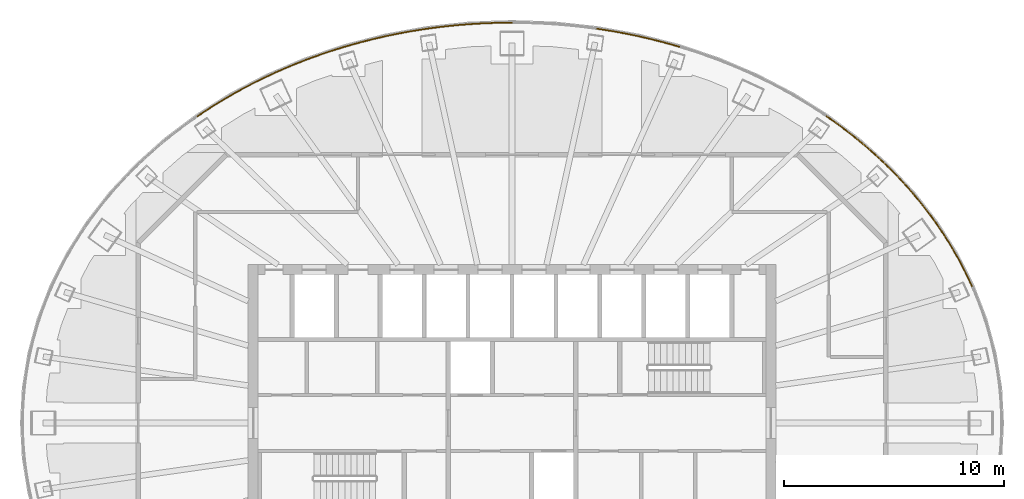
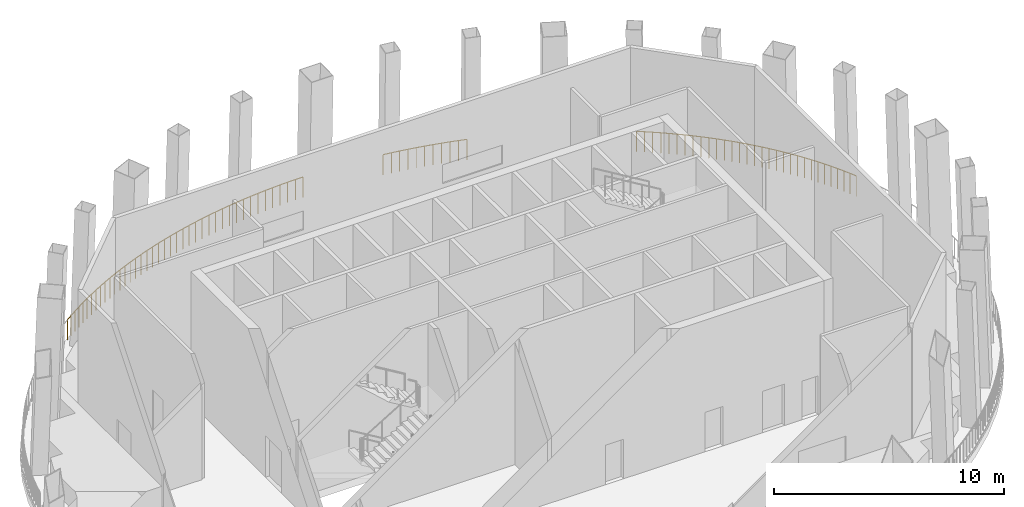
# One storey, part 11 of 12: 8 railings.
"""IFC4 building model written with IfcOpenShell, lengths in metres."""

from ifc_helpers import new_model, si_unit, direction, frame, origin, origin_2d, place, context, subcontext, project, spatial, circle, extrude, material, type_object, element, save


model = new_model("IFC4")

# Units and contexts
model_context = context("Model", 3, precision=1e-05, world=origin(), true_north=direction((0.0, 1.0)))
body_context = subcontext(model_context, "Body", "Model", "MODEL_VIEW")
ifc_project = project(units=[si_unit("LENGTHUNIT", "METRE"), si_unit("AREAUNIT", "SQUARE_METRE"), si_unit("VOLUMEUNIT", "CUBIC_METRE"), si_unit("PLANEANGLEUNIT", "RADIAN"), si_unit("MASSUNIT", "GRAM", prefix="KILO")], contexts=[model_context])

# Site, building, storey
site_placement = place(None, origin())
site = spatial("IfcSite", under=ifc_project, at=site_placement, CompositionType="ELEMENT")
building_placement = place(site_placement, origin())
building = spatial("IfcBuilding", under=site, at=building_placement, Name="Siaravel Broadcast Tower", CompositionType="ELEMENT")
storey_placement = place(building_placement, frame((0.0, 0.0, 205.199951171875)))
storey = spatial("IfcBuildingStorey", under=building, at=storey_placement, Name="L50", CompositionType="ELEMENT", Elevation=205.199951171875)

# Railings
ifc_material = material(Name="Steel S355", Category="steel")
railing_type = type_object("IfcRailingType", Name="Guard 1100", PredefinedType="GUARDRAIL", material=ifc_material)
railing_1_placement = place(storey_placement, frame((20.913818359375, 6.227783203125, 0.080078125)))
element("IfcRailing", 1, at=railing_1_placement, inside=storey, type_object=railing_type, Name="L50 sky garden guard 03", PredefinedType="GUARDRAIL", context=body_context, shape_type="SweptSolid", body=[
    extrude(circle(Radius=0.02392578125, at=origin_2d()), frame((0.0, 0.0, 1.076171875), z_axis=(-0.415601054, 0.90954701, 0.0), x_axis=(-0.90954701, -0.415601054, 0.0)), (0.0, 0.0, 1.0), 0.3271484375),
    extrude(circle(Radius=0.02392578125, at=origin_2d()), frame((-0.135986328125, 0.297607421875, 1.076171875), z_axis=(-0.433770877, 0.901023211, 0.0), x_axis=(-0.901023211, -0.433770877, 0.0)), (0.0, 0.0, 1.0), 0.328125),
    extrude(circle(Radius=0.02392578125, at=origin_2d()), frame((-0.2783203125, 0.59326171875, 1.076171875), z_axis=(-0.451657892, 0.892191206, 0.0), x_axis=(-0.892191206, -0.451657892, 0.0)), (0.0, 0.0, 1.0), 0.3291015625),
    extrude(circle(Radius=0.02392578125, at=origin_2d()), frame((-0.427001953125, 0.886962890625, 1.076171875), z_axis=(-0.469281499, 0.883048625, 0.0), x_axis=(-0.883048625, -0.469281499, 0.0)), (0.0, 0.0, 1.0), 0.329833984375),
    extrude(circle(Radius=0.02392578125, at=origin_2d()), frame((-0.581787109375, 1.17822265625, 1.076171875), z_axis=(-0.486581595, 0.873635136, 0.0), x_axis=(-0.873635136, -0.486581595, 0.0)), (0.0, 0.0, 1.0), 0.3310546875),
    extrude(circle(Radius=0.02392578125, at=origin_2d()), frame((-0.742919921875, 1.467529296875, 1.076171875), z_axis=(-0.503642434, 0.863912205, 0.0), x_axis=(-0.863912205, -0.503642434, 0.0)), (0.0, 0.0, 1.0), 0.33203125),
    extrude(circle(Radius=0.02392578125, at=origin_2d()), frame((-0.91015625, 1.75439453125, 1.076171875), z_axis=(-0.52041193, 0.853915349, 0.0), x_axis=(-0.853915349, -0.52041193, 0.0)), (0.0, 0.0, 1.0), 0.3330078125),
    extrude(circle(Radius=0.02392578125, at=origin_2d()), frame((-1.08349609375, 2.038818359375, 1.076171875), z_axis=(-0.537206502, 0.843450754, 0.0), x_axis=(-0.843450754, -0.537206502, 0.0)), (0.0, 0.0, 1.0), 0.333984375),
    extrude(circle(Radius=0.02392578125, at=origin_2d()), frame((-1.262939453125, 2.320556640625, 1.076171875), z_axis=(-0.552849831, 0.833280904, 0.0), x_axis=(-0.833280904, -0.552849831, 0.0)), (0.0, 0.0, 1.0), 0.335205078125),
    extrude(circle(Radius=0.02392578125, at=origin_2d()), frame((-1.4482421875, 2.599853515625, 1.076171875), z_axis=(-0.568530162, 0.822662418, 0.0), x_axis=(-0.822662418, -0.568530162, 0.0)), (0.0, 0.0, 1.0), 0.336181640625),
    extrude(circle(Radius=0.02099609375, at=origin_2d()), origin(), (0.0, 0.0, 1.0), 1.052001953125),
    extrude(circle(Radius=0.02099609375, at=origin_2d()), frame((-0.135986328125, 0.297607421875, 0.0)), (0.0, 0.0, 1.0), 1.052001953125),
    extrude(circle(Radius=0.02099609375, at=origin_2d()), frame((-0.2783203125, 0.59326171875, 0.0)), (0.0, 0.0, 1.0), 1.052001953125),
    extrude(circle(Radius=0.02099609375, at=origin_2d()), frame((-0.427001953125, 0.886962890625, 0.0)), (0.0, 0.0, 1.0), 1.052001953125),
    extrude(circle(Radius=0.02099609375, at=origin_2d()), frame((-0.581787109375, 1.17822265625, 0.0)), (0.0, 0.0, 1.0), 1.052001953125),
    extrude(circle(Radius=0.02099609375, at=origin_2d()), frame((-0.742919921875, 1.467529296875, 0.0)), (0.0, 0.0, 1.0), 1.052001953125),
    extrude(circle(Radius=0.02099609375, at=origin_2d()), frame((-0.91015625, 1.75439453125, 0.0)), (0.0, 0.0, 1.0), 1.052001953125),
    extrude(circle(Radius=0.02099609375, at=origin_2d()), frame((-1.08349609375, 2.038818359375, 0.0)), (0.0, 0.0, 1.0), 1.052001953125),
    extrude(circle(Radius=0.02099609375, at=origin_2d()), frame((-1.262939453125, 2.320556640625, 0.0)), (0.0, 0.0, 1.0), 1.052001953125),
    extrude(circle(Radius=0.02099609375, at=origin_2d()), frame((-1.4482421875, 2.599853515625, 0.0)), (0.0, 0.0, 1.0), 1.052001953125),
    extrude(circle(Radius=0.02099609375, at=origin_2d()), frame((-1.639404296875, 2.87646484375, 0.0)), (0.0, 0.0, 1.0), 1.052001953125),
])
railing_2_placement = place(storey_placement, frame((19.2744140625, 9.104248046875, 0.080078125)))
element("IfcRailing", 2, at=railing_2_placement, inside=storey, type_object=railing_type, Name="L50 sky garden guard 04", PredefinedType="GUARDRAIL", context=body_context, shape_type="SweptSolid", body=[
    extrude(circle(Radius=0.02392578125, at=origin_2d()), frame((0.0, 0.0, 1.076171875), z_axis=(-0.584380934, 0.811479466, 0.0), x_axis=(-0.811479466, -0.584380934, 0.0)), (0.0, 0.0, 1.0), 0.337646484375),
    extrude(circle(Radius=0.02392578125, at=origin_2d()), frame((-0.197265625, 0.27392578125, 1.076171875), z_axis=(-0.599307435, 0.800518956, 0.0), x_axis=(-0.800518956, -0.599307435, 0.0)), (0.0, 0.0, 1.0), 0.338623046875),
    extrude(circle(Radius=0.02392578125, at=origin_2d()), frame((-0.400146484375, 0.544921875, 1.076171875), z_axis=(-0.614736721, 0.788732378, 0.0), x_axis=(-0.788732378, -0.614736721, 0.0)), (0.0, 0.0, 1.0), 0.339599609375),
    extrude(circle(Radius=0.02392578125, at=origin_2d()), frame((-0.60888671875, 0.812744140625, 1.076171875), z_axis=(-0.628703723, 0.777644924, 0.0), x_axis=(-0.777644924, -0.628703723, 0.0)), (0.0, 0.0, 1.0), 0.341064453125),
    extrude(circle(Radius=0.02392578125, at=origin_2d()), frame((-0.8232421875, 1.077880859375, 1.076171875), z_axis=(-0.643058171, 0.765817334, 0.0), x_axis=(-0.765817334, -0.643058171, 0.0)), (0.0, 0.0, 1.0), 0.342041015625),
    extrude(circle(Radius=0.02392578125, at=origin_2d()), frame((-1.043212890625, 1.33984375, 1.076171875), z_axis=(-0.65744612, 0.753501559, 0.0), x_axis=(-0.753501559, -0.65744612, 0.0)), (0.0, 0.0, 1.0), 0.343017578125),
    extrude(circle(Radius=0.02392578125, at=origin_2d()), frame((-1.268798828125, 1.598388671875, 1.076171875), z_axis=(-0.67080203, 0.741636458, 0.0), x_axis=(-0.741636458, -0.67080203, 0.0)), (0.0, 0.0, 1.0), 0.3447265625),
    extrude(circle(Radius=0.02392578125, at=origin_2d()), frame((-1.5, 1.85400390625, 1.076171875), z_axis=(-0.68412918, 0.729360861, 0.0), x_axis=(-0.729360861, -0.68412918, 0.0)), (0.0, 0.0, 1.0), 0.345458984375),
    extrude(circle(Radius=0.02392578125, at=origin_2d()), frame((-1.736328125, 2.10595703125, 1.076171875), z_axis=(-0.697188894, 0.716887471, 0.0), x_axis=(-0.716887471, -0.697188894, 0.0)), (0.0, 0.0, 1.0), 0.346923828125),
    extrude(circle(Radius=0.02392578125, at=origin_2d()), frame((-1.978271484375, 2.354736328125, 1.076171875), z_axis=(-0.709208125, 0.704999174, 0.0), x_axis=(-0.704999174, -0.709208125, 0.0)), (0.0, 0.0, 1.0), 0.34814453125),
    extrude(circle(Radius=0.02099609375, at=origin_2d()), origin(), (0.0, 0.0, 1.0), 1.052001953125),
    extrude(circle(Radius=0.02099609375, at=origin_2d()), frame((-0.197265625, 0.27392578125, 0.0)), (0.0, 0.0, 1.0), 1.052001953125),
    extrude(circle(Radius=0.02099609375, at=origin_2d()), frame((-0.400146484375, 0.544921875, 0.0)), (0.0, 0.0, 1.0), 1.052001953125),
    extrude(circle(Radius=0.02099609375, at=origin_2d()), frame((-0.60888671875, 0.812744140625, 0.0)), (0.0, 0.0, 1.0), 1.052001953125),
    extrude(circle(Radius=0.02099609375, at=origin_2d()), frame((-0.8232421875, 1.077880859375, 0.0)), (0.0, 0.0, 1.0), 1.052001953125),
    extrude(circle(Radius=0.02099609375, at=origin_2d()), frame((-1.043212890625, 1.33984375, 0.0)), (0.0, 0.0, 1.0), 1.052001953125),
    extrude(circle(Radius=0.02099609375, at=origin_2d()), frame((-1.268798828125, 1.598388671875, 0.0)), (0.0, 0.0, 1.0), 1.052001953125),
    extrude(circle(Radius=0.02099609375, at=origin_2d()), frame((-1.5, 1.85400390625, 0.0)), (0.0, 0.0, 1.0), 1.052001953125),
    extrude(circle(Radius=0.02099609375, at=origin_2d()), frame((-1.736328125, 2.10595703125, 0.0)), (0.0, 0.0, 1.0), 1.052001953125),
    extrude(circle(Radius=0.02099609375, at=origin_2d()), frame((-1.978271484375, 2.354736328125, 0.0)), (0.0, 0.0, 1.0), 1.052001953125),
    extrude(circle(Radius=0.02099609375, at=origin_2d()), frame((-2.22509765625, 2.60009765625, 0.0)), (0.0, 0.0, 1.0), 1.052001953125),
])
railing_3_placement = place(storey_placement, frame((17.04931640625, 11.704345703125, 0.080078125)))
element("IfcRailing", 3, at=railing_3_placement, inside=storey, type_object=railing_type, Name="L50 sky garden guard 05", PredefinedType="GUARDRAIL", context=body_context, shape_type="SweptSolid", body=[
    extrude(circle(Radius=0.02392578125, at=origin_2d()), frame((0.0, 0.0, 1.076171875), z_axis=(-0.722657035, 0.691206778, 0.0), x_axis=(-0.691206778, -0.722657035, 0.0)), (0.0, 0.0, 1.0), 0.349365234375),
    extrude(circle(Radius=0.02392578125, at=origin_2d()), frame((-0.25244140625, 0.241455078125, 1.076171875), z_axis=(-0.73408208, 0.679060748, 0.0), x_axis=(-0.679060748, -0.73408208, 0.0)), (0.0, 0.0, 1.0), 0.3505859375),
    extrude(circle(Radius=0.02392578125, at=origin_2d()), frame((-0.509765625, 0.4794921875, 1.076171875), z_axis=(-0.745876104, 0.666084707, 0.0), x_axis=(-0.666084707, -0.745876104, 0.0)), (0.0, 0.0, 1.0), 0.351806640625),
    extrude(circle(Radius=0.02392578125, at=origin_2d()), frame((-0.772216796875, 0.7138671875, 1.076171875), z_axis=(-0.757398166, 0.652953305, 0.0), x_axis=(-0.652953305, -0.757398166, 0.0)), (0.0, 0.0, 1.0), 0.35302734375),
    extrude(circle(Radius=0.02392578125, at=origin_2d()), frame((-1.03955078125, 0.9443359375, 1.076171875), z_axis=(-0.768559864, 0.63977788, 0.0), x_axis=(-0.63977788, -0.768559864, 0.0)), (0.0, 0.0, 1.0), 0.3544921875),
    extrude(circle(Radius=0.02392578125, at=origin_2d()), frame((-1.31201171875, 1.171142578125, 1.076171875), z_axis=(-0.779257223, 0.626704221, 0.0), x_axis=(-0.626704221, -0.779257223, 0.0)), (0.0, 0.0, 1.0), 0.355224609375),
    extrude(circle(Radius=0.02392578125, at=origin_2d()), frame((-1.5888671875, 1.393798828125, 1.076171875), z_axis=(-0.789867917, 0.613276996, 0.0), x_axis=(-0.613276996, -0.789867917, 0.0)), (0.0, 0.0, 1.0), 0.356689453125),
    extrude(circle(Radius=0.02392578125, at=origin_2d()), frame((-1.87060546875, 1.612548828125, 1.076171875), z_axis=(-0.800490663, 0.599345224, 0.0), x_axis=(-0.599345224, -0.800490663, 0.0)), (0.0, 0.0, 1.0), 0.358154296875),
    extrude(circle(Radius=0.02392578125, at=origin_2d()), frame((-2.1572265625, 1.8271484375, 1.076171875), z_axis=(-0.809763888, 0.586755865, 0.0), x_axis=(-0.586755865, -0.809763888, 0.0)), (0.0, 0.0, 1.0), 0.359130859375),
    extrude(circle(Radius=0.02392578125, at=origin_2d()), frame((-2.447998046875, 2.037841796875, 1.076171875), z_axis=(-0.819868065, 0.572552492, 0.0), x_axis=(-0.572552492, -0.819868065, 0.0)), (0.0, 0.0, 1.0), 0.3603515625),
    extrude(circle(Radius=0.02099609375, at=origin_2d()), origin(), (0.0, 0.0, 1.0), 1.052001953125),
    extrude(circle(Radius=0.02099609375, at=origin_2d()), frame((-0.25244140625, 0.241455078125, 0.0)), (0.0, 0.0, 1.0), 1.052001953125),
    extrude(circle(Radius=0.02099609375, at=origin_2d()), frame((-0.509765625, 0.4794921875, 0.0)), (0.0, 0.0, 1.0), 1.052001953125),
    extrude(circle(Radius=0.02099609375, at=origin_2d()), frame((-0.772216796875, 0.7138671875, 0.0)), (0.0, 0.0, 1.0), 1.052001953125),
    extrude(circle(Radius=0.02099609375, at=origin_2d()), frame((-1.03955078125, 0.9443359375, 0.0)), (0.0, 0.0, 1.0), 1.052001953125),
    extrude(circle(Radius=0.02099609375, at=origin_2d()), frame((-1.31201171875, 1.171142578125, 0.0)), (0.0, 0.0, 1.0), 1.052001953125),
    extrude(circle(Radius=0.02099609375, at=origin_2d()), frame((-1.5888671875, 1.393798828125, 0.0)), (0.0, 0.0, 1.0), 1.052001953125),
    extrude(circle(Radius=0.02099609375, at=origin_2d()), frame((-1.87060546875, 1.612548828125, 0.0)), (0.0, 0.0, 1.0), 1.052001953125),
    extrude(circle(Radius=0.02099609375, at=origin_2d()), frame((-2.1572265625, 1.8271484375, 0.0)), (0.0, 0.0, 1.0), 1.052001953125),
    extrude(circle(Radius=0.02099609375, at=origin_2d()), frame((-2.447998046875, 2.037841796875, 0.0)), (0.0, 0.0, 1.0), 1.052001953125),
    extrude(circle(Radius=0.02099609375, at=origin_2d()), frame((-2.743408203125, 2.244140625, 0.0)), (0.0, 0.0, 1.0), 1.052001953125),
])
railing_4_placement = place(storey_placement, frame((7.612060546875, 17.110595703125, 0.080078125)))
element("IfcRailing", 4, at=railing_4_placement, inside=storey, type_object=railing_type, Name="L50 sky garden guard 08", PredefinedType="GUARDRAIL", context=body_context, shape_type="SweptSolid", body=[
    extrude(circle(Radius=0.02392578125, at=origin_2d()), frame((0.0, 0.0, 1.076171875), z_axis=(-0.960600266, 0.277933677, 0.0), x_axis=(-0.277933677, -0.960600266, 0.0)), (0.0, 0.0, 1.0), 0.38134765625),
    extrude(circle(Radius=0.02392578125, at=origin_2d()), frame((-0.3662109375, 0.10595703125, 1.076171875), z_axis=(-0.964527427, 0.263982656, 0.0), x_axis=(-0.263982656, -0.964527427, 0.0)), (0.0, 0.0, 1.0), 0.3818359375),
    extrude(circle(Radius=0.02392578125, at=origin_2d()), frame((-0.734619140625, 0.206787109375, 1.076171875), z_axis=(-0.968197573, 0.250186848, 0.0), x_axis=(-0.250186848, -0.968197573, 0.0)), (0.0, 0.0, 1.0), 0.382568359375),
    extrude(circle(Radius=0.02392578125, at=origin_2d()), frame((-1.10498046875, 0.302490234375, 1.076171875), z_axis=(-0.971986944, 0.235034851, 0.0), x_axis=(-0.235034851, -0.971986944, 0.0)), (0.0, 0.0, 1.0), 0.38330078125),
    extrude(circle(Radius=0.02392578125, at=origin_2d()), frame((-1.4775390625, 0.392578125, 1.076171875), z_axis=(-0.975189064, 0.221373643, 0.0), x_axis=(-0.221373643, -0.975189064, 0.0)), (0.0, 0.0, 1.0), 0.3837890625),
    extrude(circle(Radius=0.02392578125, at=origin_2d()), frame((-1.851806640625, 0.4775390625, 1.076171875), z_axis=(-0.97832001, 0.207098911, 0.0), x_axis=(-0.207098911, -0.97832001, 0.0)), (0.0, 0.0, 1.0), 0.38427734375),
    extrude(circle(Radius=0.02392578125, at=origin_2d()), frame((-2.227783203125, 0.55712890625, 1.076171875), z_axis=(-0.981233822, 0.192821643, 0.0), x_axis=(-0.192821643, -0.981233822, 0.0)), (0.0, 0.0, 1.0), 0.385009765625),
    extrude(circle(Radius=0.02392578125, at=origin_2d()), frame((-2.60546875, 0.63134765625, 1.076171875), z_axis=(-0.983930637, 0.178551119, 0.0), x_axis=(-0.178551119, -0.983930637, 0.0)), (0.0, 0.0, 1.0), 0.385498046875),
    extrude(circle(Radius=0.02392578125, at=origin_2d()), frame((-2.98486328125, 0.7001953125, 1.076171875), z_axis=(-0.986479299, 0.163885913, 0.0), x_axis=(-0.163885913, -0.986479299, 0.0)), (0.0, 0.0, 1.0), 0.3857421875),
    extrude(circle(Radius=0.02392578125, at=origin_2d()), frame((-3.365478515625, 0.763427734375, 1.076171875), z_axis=(-0.988712667, 0.149824106, 0.0), x_axis=(-0.149824106, -0.988712667, 0.0)), (0.0, 0.0, 1.0), 0.38623046875),
    extrude(circle(Radius=0.02099609375, at=origin_2d()), origin(), (0.0, 0.0, 1.0), 1.052001953125),
    extrude(circle(Radius=0.02099609375, at=origin_2d()), frame((-0.3662109375, 0.10595703125, 0.0)), (0.0, 0.0, 1.0), 1.052001953125),
    extrude(circle(Radius=0.02099609375, at=origin_2d()), frame((-0.734619140625, 0.206787109375, 0.0)), (0.0, 0.0, 1.0), 1.052001953125),
    extrude(circle(Radius=0.02099609375, at=origin_2d()), frame((-1.10498046875, 0.302490234375, 0.0)), (0.0, 0.0, 1.0), 1.052001953125),
    extrude(circle(Radius=0.02099609375, at=origin_2d()), frame((-1.4775390625, 0.392578125, 0.0)), (0.0, 0.0, 1.0), 1.052001953125),
    extrude(circle(Radius=0.02099609375, at=origin_2d()), frame((-1.851806640625, 0.4775390625, 0.0)), (0.0, 0.0, 1.0), 1.052001953125),
    extrude(circle(Radius=0.02099609375, at=origin_2d()), frame((-2.227783203125, 0.55712890625, 0.0)), (0.0, 0.0, 1.0), 1.052001953125),
    extrude(circle(Radius=0.02099609375, at=origin_2d()), frame((-2.60546875, 0.63134765625, 0.0)), (0.0, 0.0, 1.0), 1.052001953125),
    extrude(circle(Radius=0.02099609375, at=origin_2d()), frame((-2.98486328125, 0.7001953125, 0.0)), (0.0, 0.0, 1.0), 1.052001953125),
    extrude(circle(Radius=0.02099609375, at=origin_2d()), frame((-3.365478515625, 0.763427734375, 0.0)), (0.0, 0.0, 1.0), 1.052001953125),
    extrude(circle(Radius=0.02099609375, at=origin_2d()), frame((-3.747314453125, 0.8212890625, 0.0)), (0.0, 0.0, 1.0), 1.052001953125),
])
railing_5_placement = place(storey_placement, frame((0.0, 18.20849609375, 0.080078125)))
element("IfcRailing", 5, at=railing_5_placement, inside=storey, type_object=railing_type, Name="L50 sky garden guard 10", PredefinedType="GUARDRAIL", context=body_context, shape_type="SweptSolid", body=[
    extrude(circle(Radius=0.02392578125, at=origin_2d()), frame((0.0, 0.0, 1.076171875), z_axis=(-0.9999761, -0.006913725, 0.0), x_axis=(0.006913725, -0.9999761, 0.0)), (0.0, 0.0, 1.0), 0.388427734375),
    extrude(circle(Radius=0.02392578125, at=origin_2d()), frame((-0.388427734375, -0.002685546875, 1.076171875), z_axis=(-0.999771448, -0.021378761, 0.0), x_axis=(0.021378761, -0.999771448, 0.0)), (0.0, 0.0, 1.0), 0.38818359375),
    extrude(circle(Radius=0.02392578125, at=origin_2d()), frame((-0.776611328125, -0.010986328125, 1.076171875), z_axis=(-0.999358041, -0.035826043, 0.0), x_axis=(0.035826043, -0.999358041, 0.0)), (0.0, 0.0, 1.0), 0.388427734375),
    extrude(circle(Radius=0.02392578125, at=origin_2d()), frame((-1.164794921875, -0.02490234375, 1.076171875), z_axis=(-0.998764855, -0.049686665, 0.0), x_axis=(0.049686665, -0.998764855, 0.0)), (0.0, 0.0, 1.0), 0.38818359375),
    extrude(circle(Radius=0.02392578125, at=origin_2d()), frame((-1.552490234375, -0.044189453125, 1.076171875), z_axis=(-0.997938329, -0.064180145, 0.0), x_axis=(0.064180145, -0.997938329, 0.0)), (0.0, 0.0, 1.0), 0.387939453125),
    extrude(circle(Radius=0.02392578125, at=origin_2d()), frame((-1.939697265625, -0.069091796875, 1.076171875), z_axis=(-0.996900747, -0.078669567, 0.0), x_axis=(0.078669567, -0.996900747, 0.0)), (0.0, 0.0, 1.0), 0.387939453125),
    extrude(circle(Radius=0.02392578125, at=origin_2d()), frame((-2.326416015625, -0.099609375, 1.076171875), z_axis=(-0.995705267, -0.092579807, 0.0), x_axis=(0.092579807, -0.995705267, 0.0)), (0.0, 0.0, 1.0), 0.3876953125),
    extrude(circle(Radius=0.02392578125, at=origin_2d()), frame((-2.71240234375, -0.135498046875, 1.076171875), z_axis=(-0.994239776, -0.10717867, 0.0), x_axis=(0.10717867, -0.994239776, 0.0)), (0.0, 0.0, 1.0), 0.38720703125),
    extrude(circle(Radius=0.02392578125, at=origin_2d()), frame((-3.097412109375, -0.177001953125, 1.076171875), z_axis=(-0.992566192, -0.12170602, 0.0), x_axis=(0.12170602, -0.992566192, 0.0)), (0.0, 0.0, 1.0), 0.38720703125),
    extrude(circle(Radius=0.02392578125, at=origin_2d()), frame((-3.481689453125, -0.22412109375, 1.076171875), z_axis=(-0.990741579, -0.135761274, 0.0), x_axis=(0.135761274, -0.990741579, 0.0)), (0.0, 0.0, 1.0), 0.38671875),
    extrude(circle(Radius=0.02099609375, at=origin_2d()), origin(), (0.0, 0.0, 1.0), 1.052001953125),
    extrude(circle(Radius=0.02099609375, at=origin_2d()), frame((-0.388427734375, -0.002685546875, 0.0)), (0.0, 0.0, 1.0), 1.052001953125),
    extrude(circle(Radius=0.02099609375, at=origin_2d()), frame((-0.776611328125, -0.010986328125, 0.0)), (0.0, 0.0, 1.0), 1.052001953125),
    extrude(circle(Radius=0.02099609375, at=origin_2d()), frame((-1.164794921875, -0.02490234375, 0.0)), (0.0, 0.0, 1.0), 1.052001953125),
    extrude(circle(Radius=0.02099609375, at=origin_2d()), frame((-1.552490234375, -0.044189453125, 0.0)), (0.0, 0.0, 1.0), 1.052001953125),
    extrude(circle(Radius=0.02099609375, at=origin_2d()), frame((-1.939697265625, -0.069091796875, 0.0)), (0.0, 0.0, 1.0), 1.052001953125),
    extrude(circle(Radius=0.02099609375, at=origin_2d()), frame((-2.326416015625, -0.099609375, 0.0)), (0.0, 0.0, 1.0), 1.052001953125),
    extrude(circle(Radius=0.02099609375, at=origin_2d()), frame((-2.71240234375, -0.135498046875, 0.0)), (0.0, 0.0, 1.0), 1.052001953125),
    extrude(circle(Radius=0.02099609375, at=origin_2d()), frame((-3.097412109375, -0.177001953125, 0.0)), (0.0, 0.0, 1.0), 1.052001953125),
    extrude(circle(Radius=0.02099609375, at=origin_2d()), frame((-3.481689453125, -0.22412109375, 0.0)), (0.0, 0.0, 1.0), 1.052001953125),
    extrude(circle(Radius=0.02099609375, at=origin_2d()), frame((-3.86474609375, -0.276611328125, 0.0)), (0.0, 0.0, 1.0), 1.052001953125),
])
railing_6_placement = place(storey_placement, frame((-3.86474609375, 17.931884765625, 0.080078125)))
element("IfcRailing", 6, at=railing_6_placement, inside=storey, type_object=railing_type, Name="L50 sky garden guard 11", PredefinedType="GUARDRAIL", context=body_context, shape_type="SweptSolid", body=[
    extrude(circle(Radius=0.02392578125, at=origin_2d()), frame((0.0, 0.0, 1.076171875), z_axis=(-0.988712667, -0.149824106, 0.0), x_axis=(0.149824106, -0.988712667, 0.0)), (0.0, 0.0, 1.0), 0.38623046875),
    extrude(circle(Radius=0.02392578125, at=origin_2d()), frame((-0.3818359375, -0.057861328125, 1.076171875), z_axis=(-0.986479299, -0.163885913, 0.0), x_axis=(0.163885913, -0.986479299, 0.0)), (0.0, 0.0, 1.0), 0.3857421875),
    extrude(circle(Radius=0.02392578125, at=origin_2d()), frame((-0.762451171875, -0.12109375, 1.076171875), z_axis=(-0.983930637, -0.178551119, 0.0), x_axis=(0.178551119, -0.983930637, 0.0)), (0.0, 0.0, 1.0), 0.385498046875),
    extrude(circle(Radius=0.02392578125, at=origin_2d()), frame((-1.141845703125, -0.18994140625, 1.076171875), z_axis=(-0.981233822, -0.192821643, 0.0), x_axis=(0.192821643, -0.981233822, 0.0)), (0.0, 0.0, 1.0), 0.385009765625),
    extrude(circle(Radius=0.02392578125, at=origin_2d()), frame((-1.51953125, -0.26416015625, 1.076171875), z_axis=(-0.97832001, -0.207098911, 0.0), x_axis=(0.207098911, -0.97832001, 0.0)), (0.0, 0.0, 1.0), 0.38427734375),
    extrude(circle(Radius=0.02392578125, at=origin_2d()), frame((-1.8955078125, -0.34375, 1.076171875), z_axis=(-0.975189064, -0.221373643, 0.0), x_axis=(0.221373643, -0.975189064, 0.0)), (0.0, 0.0, 1.0), 0.3837890625),
    extrude(circle(Radius=0.02392578125, at=origin_2d()), frame((-2.269775390625, -0.4287109375, 1.076171875), z_axis=(-0.971986944, -0.235034851, 0.0), x_axis=(0.235034851, -0.971986944, 0.0)), (0.0, 0.0, 1.0), 0.38330078125),
    extrude(circle(Radius=0.02392578125, at=origin_2d()), frame((-2.642333984375, -0.518798828125, 1.076171875), z_axis=(-0.968197573, -0.250186848, 0.0), x_axis=(0.250186848, -0.968197573, 0.0)), (0.0, 0.0, 1.0), 0.382568359375),
    extrude(circle(Radius=0.02392578125, at=origin_2d()), frame((-3.0126953125, -0.614501953125, 1.076171875), z_axis=(-0.964527427, -0.263982656, 0.0), x_axis=(0.263982656, -0.964527427, 0.0)), (0.0, 0.0, 1.0), 0.3818359375),
    extrude(circle(Radius=0.02392578125, at=origin_2d()), frame((-3.381103515625, -0.71533203125, 1.076171875), z_axis=(-0.960600266, -0.277933677, 0.0), x_axis=(0.277933677, -0.960600266, 0.0)), (0.0, 0.0, 1.0), 0.38134765625),
    extrude(circle(Radius=0.02099609375, at=origin_2d()), origin(), (0.0, 0.0, 1.0), 1.052001953125),
    extrude(circle(Radius=0.02099609375, at=origin_2d()), frame((-0.3818359375, -0.057861328125, 0.0)), (0.0, 0.0, 1.0), 1.052001953125),
    extrude(circle(Radius=0.02099609375, at=origin_2d()), frame((-0.762451171875, -0.12109375, 0.0)), (0.0, 0.0, 1.0), 1.052001953125),
    extrude(circle(Radius=0.02099609375, at=origin_2d()), frame((-1.141845703125, -0.18994140625, 0.0)), (0.0, 0.0, 1.0), 1.052001953125),
    extrude(circle(Radius=0.02099609375, at=origin_2d()), frame((-1.51953125, -0.26416015625, 0.0)), (0.0, 0.0, 1.0), 1.052001953125),
    extrude(circle(Radius=0.02099609375, at=origin_2d()), frame((-1.8955078125, -0.34375, 0.0)), (0.0, 0.0, 1.0), 1.052001953125),
    extrude(circle(Radius=0.02099609375, at=origin_2d()), frame((-2.269775390625, -0.4287109375, 0.0)), (0.0, 0.0, 1.0), 1.052001953125),
    extrude(circle(Radius=0.02099609375, at=origin_2d()), frame((-2.642333984375, -0.518798828125, 0.0)), (0.0, 0.0, 1.0), 1.052001953125),
    extrude(circle(Radius=0.02099609375, at=origin_2d()), frame((-3.0126953125, -0.614501953125, 0.0)), (0.0, 0.0, 1.0), 1.052001953125),
    extrude(circle(Radius=0.02099609375, at=origin_2d()), frame((-3.381103515625, -0.71533203125, 0.0)), (0.0, 0.0, 1.0), 1.052001953125),
    extrude(circle(Radius=0.02099609375, at=origin_2d()), frame((-3.747314453125, -0.8212890625, 0.0)), (0.0, 0.0, 1.0), 1.052001953125),
])
railing_7_placement = place(storey_placement, frame((-7.612060546875, 17.110595703125, 0.080078125)))
element("IfcRailing", 7, at=railing_7_placement, inside=storey, type_object=railing_type, Name="L50 sky garden guard 12", PredefinedType="GUARDRAIL", context=body_context, shape_type="SweptSolid", body=[
    extrude(circle(Radius=0.02392578125, at=origin_2d()), frame((0.0, 0.0, 1.076171875), z_axis=(-0.956221948, -0.292642422, 0.0), x_axis=(0.292642422, -0.956221948, 0.0)), (0.0, 0.0, 1.0), 0.38037109375),
    extrude(circle(Radius=0.02392578125, at=origin_2d()), frame((-0.36376953125, -0.111328125, 1.076171875), z_axis=(-0.951847843, -0.306570845, 0.0), x_axis=(0.306570845, -0.951847843, 0.0)), (0.0, 0.0, 1.0), 0.3798828125),
    extrude(circle(Radius=0.02392578125, at=origin_2d()), frame((-0.725341796875, -0.227783203125, 1.076171875), z_axis=(-0.94692969, -0.321440759, 0.0), x_axis=(0.321440759, -0.94692969, 0.0)), (0.0, 0.0, 1.0), 0.37890625),
    extrude(circle(Radius=0.02392578125, at=origin_2d()), frame((-1.084228515625, -0.349609375, 1.076171875), z_axis=(-0.942368633, -0.334576389, 0.0), x_axis=(0.334576389, -0.942368633, 0.0)), (0.0, 0.0, 1.0), 0.3779296875),
    extrude(circle(Radius=0.02392578125, at=origin_2d()), frame((-1.4404296875, -0.47607421875, 1.076171875), z_axis=(-0.936886766, -0.349632933, 0.0), x_axis=(0.349632933, -0.936886766, 0.0)), (0.0, 0.0, 1.0), 0.376953125),
    extrude(circle(Radius=0.02392578125, at=origin_2d()), frame((-1.793701171875, -0.60791015625, 1.076171875), z_axis=(-0.931443609, -0.3638857, 0.0), x_axis=(0.3638857, -0.931443609, 0.0)), (0.0, 0.0, 1.0), 0.37646484375),
    extrude(circle(Radius=0.02392578125, at=origin_2d()), frame((-2.144287109375, -0.744873046875, 1.076171875), z_axis=(-0.926126022, -0.377214251, 0.0), x_axis=(0.377214251, -0.926126022, 0.0)), (0.0, 0.0, 1.0), 0.37548828125),
    extrude(circle(Radius=0.02392578125, at=origin_2d()), frame((-2.491943359375, -0.886474609375, 1.076171875), z_axis=(-0.919784443, -0.392423979, 0.0), x_axis=(0.392423979, -0.919784443, 0.0)), (0.0, 0.0, 1.0), 0.37451171875),
    extrude(circle(Radius=0.02392578125, at=origin_2d()), frame((-2.83642578125, -1.033447265625, 1.076171875), z_axis=(-0.914000038, -0.405714099, 0.0), x_axis=(0.405714099, -0.914000038, 0.0)), (0.0, 0.0, 1.0), 0.373779296875),
    extrude(circle(Radius=0.02392578125, at=origin_2d()), frame((-3.177978515625, -1.18505859375, 1.076171875), z_axis=(-0.907402092, -0.420263541, 0.0), x_axis=(0.420263541, -0.907402092, 0.0)), (0.0, 0.0, 1.0), 0.372314453125),
    extrude(circle(Radius=0.02099609375, at=origin_2d()), origin(), (0.0, 0.0, 1.0), 1.052001953125),
    extrude(circle(Radius=0.02099609375, at=origin_2d()), frame((-0.36376953125, -0.111328125, 0.0)), (0.0, 0.0, 1.0), 1.052001953125),
    extrude(circle(Radius=0.02099609375, at=origin_2d()), frame((-0.725341796875, -0.227783203125, 0.0)), (0.0, 0.0, 1.0), 1.052001953125),
    extrude(circle(Radius=0.02099609375, at=origin_2d()), frame((-1.084228515625, -0.349609375, 0.0)), (0.0, 0.0, 1.0), 1.052001953125),
    extrude(circle(Radius=0.02099609375, at=origin_2d()), frame((-1.4404296875, -0.47607421875, 0.0)), (0.0, 0.0, 1.0), 1.052001953125),
    extrude(circle(Radius=0.02099609375, at=origin_2d()), frame((-1.793701171875, -0.60791015625, 0.0)), (0.0, 0.0, 1.0), 1.052001953125),
    extrude(circle(Radius=0.02099609375, at=origin_2d()), frame((-2.144287109375, -0.744873046875, 0.0)), (0.0, 0.0, 1.0), 1.052001953125),
    extrude(circle(Radius=0.02099609375, at=origin_2d()), frame((-2.491943359375, -0.886474609375, 0.0)), (0.0, 0.0, 1.0), 1.052001953125),
    extrude(circle(Radius=0.02099609375, at=origin_2d()), frame((-2.83642578125, -1.033447265625, 0.0)), (0.0, 0.0, 1.0), 1.052001953125),
    extrude(circle(Radius=0.02099609375, at=origin_2d()), frame((-3.177978515625, -1.18505859375, 0.0)), (0.0, 0.0, 1.0), 1.052001953125),
    extrude(circle(Radius=0.02099609375, at=origin_2d()), frame((-3.515869140625, -1.341552734375, 0.0)), (0.0, 0.0, 1.0), 1.052001953125),
])
railing_8_placement = place(storey_placement, frame((-11.1279296875, 15.76904296875, 0.080078125)))
element("IfcRailing", 8, at=railing_8_placement, inside=storey, type_object=railing_type, Name="L50 sky garden guard 13", PredefinedType="GUARDRAIL", context=body_context, shape_type="SweptSolid", body=[
    extrude(circle(Radius=0.02392578125, at=origin_2d()), frame((0.0, 0.0, 1.076171875), z_axis=(-0.90103021, -0.433756338, 0.0), x_axis=(0.433756338, -0.90103021, 0.0)), (0.0, 0.0, 1.0), 0.37158203125),
    extrude(circle(Radius=0.02392578125, at=origin_2d()), frame((-0.334716796875, -0.1611328125, 1.076171875), z_axis=(-0.894031544, -0.448004016, 0.0), x_axis=(0.448004016, -0.894031544, 0.0)), (0.0, 0.0, 1.0), 0.37060546875),
    extrude(circle(Radius=0.02392578125, at=origin_2d()), frame((-0.666015625, -0.3271484375, 1.076171875), z_axis=(-0.886631963, -0.462475689, 0.0), x_axis=(0.462475689, -0.886631963, 0.0)), (0.0, 0.0, 1.0), 0.36962890625),
    extrude(circle(Radius=0.02392578125, at=origin_2d()), frame((-0.99365234375, -0.498046875, 1.076171875), z_axis=(-0.879511614, -0.475877422, 0.0), x_axis=(0.475877422, -0.879511614, 0.0)), (0.0, 0.0, 1.0), 0.368408203125),
    extrude(circle(Radius=0.02392578125, at=origin_2d()), frame((-1.317626953125, -0.67333984375, 1.076171875), z_axis=(-0.871415727, -0.490545238, 0.0), x_axis=(0.490545238, -0.871415727, 0.0)), (0.0, 0.0, 1.0), 0.3671875),
    extrude(circle(Radius=0.02392578125, at=origin_2d()), frame((-1.6376953125, -0.853515625, 1.076171875), z_axis=(-0.863899853, -0.503663621, 0.0), x_axis=(0.503663621, -0.863899853, 0.0)), (0.0, 0.0, 1.0), 0.365966796875),
    extrude(circle(Radius=0.02392578125, at=origin_2d()), frame((-1.953857421875, -1.037841796875, 1.076171875), z_axis=(-0.855242736, -0.518227616, 0.0), x_axis=(0.518227616, -0.855242736, 0.0)), (0.0, 0.0, 1.0), 0.364990234375),
    extrude(circle(Radius=0.02392578125, at=origin_2d()), frame((-2.26611328125, -1.22705078125, 1.076171875), z_axis=(-0.847016493, -0.53156661, 0.0), x_axis=(0.53156661, -0.847016493, 0.0)), (0.0, 0.0, 1.0), 0.36376953125),
    extrude(circle(Radius=0.02392578125, at=origin_2d()), frame((-2.57421875, -1.42041015625, 1.076171875), z_axis=(-0.837905031, -0.545816048, 0.0), x_axis=(0.545816048, -0.837905031, 0.0)), (0.0, 0.0, 1.0), 0.36279296875),
    extrude(circle(Radius=0.02392578125, at=origin_2d()), frame((-2.878173828125, -1.618408203125, 1.076171875), z_axis=(-0.829130356, -0.559055322, 0.0), x_axis=(0.559055322, -0.829130356, 0.0)), (0.0, 0.0, 1.0), 0.361572265625),
    extrude(circle(Radius=0.02099609375, at=origin_2d()), origin(), (0.0, 0.0, 1.0), 1.052001953125),
    extrude(circle(Radius=0.02099609375, at=origin_2d()), frame((-0.334716796875, -0.1611328125, 0.0)), (0.0, 0.0, 1.0), 1.052001953125),
    extrude(circle(Radius=0.02099609375, at=origin_2d()), frame((-0.666015625, -0.3271484375, 0.0)), (0.0, 0.0, 1.0), 1.052001953125),
    extrude(circle(Radius=0.02099609375, at=origin_2d()), frame((-0.99365234375, -0.498046875, 0.0)), (0.0, 0.0, 1.0), 1.052001953125),
    extrude(circle(Radius=0.02099609375, at=origin_2d()), frame((-1.317626953125, -0.67333984375, 0.0)), (0.0, 0.0, 1.0), 1.052001953125),
    extrude(circle(Radius=0.02099609375, at=origin_2d()), frame((-1.6376953125, -0.853515625, 0.0)), (0.0, 0.0, 1.0), 1.052001953125),
    extrude(circle(Radius=0.02099609375, at=origin_2d()), frame((-1.953857421875, -1.037841796875, 0.0)), (0.0, 0.0, 1.0), 1.052001953125),
    extrude(circle(Radius=0.02099609375, at=origin_2d()), frame((-2.26611328125, -1.22705078125, 0.0)), (0.0, 0.0, 1.0), 1.052001953125),
    extrude(circle(Radius=0.02099609375, at=origin_2d()), frame((-2.57421875, -1.42041015625, 0.0)), (0.0, 0.0, 1.0), 1.052001953125),
    extrude(circle(Radius=0.02099609375, at=origin_2d()), frame((-2.878173828125, -1.618408203125, 0.0)), (0.0, 0.0, 1.0), 1.052001953125),
    extrude(circle(Radius=0.02099609375, at=origin_2d()), frame((-3.177978515625, -1.820556640625, 0.0)), (0.0, 0.0, 1.0), 1.052001953125),
])

save(model, "model.ifc")
